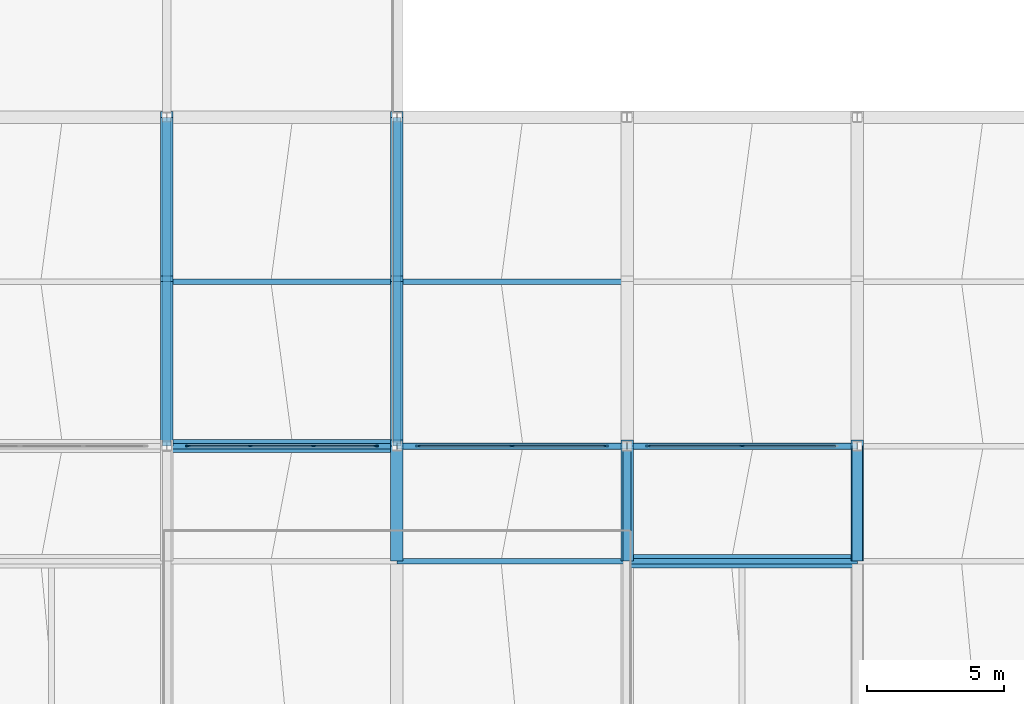
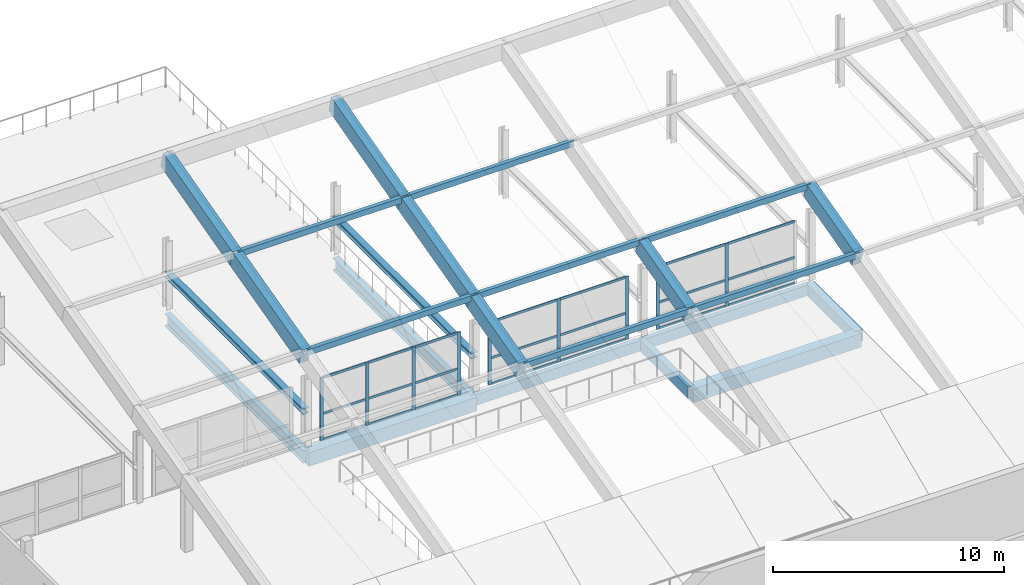
# One storey, part 26 of 51: 39 members, 15 beams, 3 elements without a shape of their own.
"""IFC4 building model written with IfcOpenShell, lengths in metres."""

from ifc_helpers import new_model, si_unit, direction, frame, origin, origin_2d, place, context, subcontext, project, spatial, rectangle, hollow_rectangle, i_section, extrude, material, material_profile, profile_set, type_object, element, aggregate, save


model = new_model("IFC4")

# Units and contexts
model_context = context("Model", 3, precision=1e-05, world=origin(), true_north=direction((0.0, 1.0)))
body_context = subcontext(model_context, "Body", "Model", "MODEL_VIEW")
ifc_project = project(units=[si_unit("LENGTHUNIT", "METRE"), si_unit("AREAUNIT", "SQUARE_METRE"), si_unit("VOLUMEUNIT", "CUBIC_METRE"), si_unit("PLANEANGLEUNIT", "RADIAN"), si_unit("MASSUNIT", "GRAM", prefix="KILO")], contexts=[model_context])

# Site, building, storey
site_placement = place(None, origin())
site = spatial("IfcSite", under=ifc_project, at=site_placement, CompositionType="ELEMENT")
building_placement = place(site_placement, origin())
building = spatial("IfcBuilding", under=site, at=building_placement, Name="Vharandega Faculty of Natural Sciences", CompositionType="ELEMENT")
storey_placement = place(building_placement, frame((0.0, 0.0, 18.0)))
storey = spatial("IfcBuildingStorey", under=building, at=storey_placement, Name="L04", CompositionType="ELEMENT", Elevation=18.0)

# Curtain wall, members
ifc_material_1 = material(Name="Aluminium and solar-control glass curtain wall", Category="aluminium")
curtain_wall_type_1 = type_object("IfcCurtainWallType", Name="Unitised Curtain Wall System CW-22", PredefinedType="NOTDEFINED", material=ifc_material_1)
curtain_wall_1_placement = place(storey_placement, origin())
curtain_wall_1 = element("IfcCurtainWall", 1, at=curtain_wall_1_placement, inside=storey, type_object=curtain_wall_type_1, Name="Curtain Wall CW-L04-105", PredefinedType="NOTDEFINED")
ifc_material_2 = material(Name="Thermally broken aluminium 6063-T6", Category="aluminium")
ifc_material_profile_1 = material_profile(ifc_material_2, rectangle(XDim=0.06005859375, YDim=0.159912109375, at=origin_2d()), Name="ALU 60x160")
ifc_profile_set_1 = profile_set([ifc_material_profile_1], Name="Thermally broken aluminium 6063-T6")
member_type_1 = type_object("IfcMemberType", Name="CW Mullion 60x160", PredefinedType="MULLION", material=ifc_profile_set_1)
member_1_placement = place(storey_placement, frame((65.169921875, 85.0, 0.0), z_axis=(0.0, 0.0, 1.0), x_axis=(0.0, 1.0, 0.0)))
member_1 = element("IfcMember", 2, at=member_1_placement, type_object=member_type_1, Name="CW-22 mullion 1", PredefinedType="MULLION", context=body_context, shape_type="SweptSolid", body=[
    extrude(rectangle(XDim=0.06005859375, YDim=0.159912109375, at=origin_2d()), origin(), (0.0, 0.0, 1.0), 3.320068359375),
])
member_2_placement = place(storey_placement, frame((67.44677734375, 85.0, 0.0), z_axis=(0.0, 0.0, 1.0), x_axis=(0.0, 1.0, 0.0)))
member_2 = element("IfcMember", 3, at=member_2_placement, type_object=member_type_1, Name="CW-22 mullion 2", PredefinedType="MULLION", context=body_context, shape_type="SweptSolid", body=[
    extrude(rectangle(XDim=0.06005859375, YDim=0.159912109375, at=origin_2d()), origin(), (0.0, 0.0, 1.0), 3.320068359375),
])
member_3_placement = place(storey_placement, frame((69.75341796875, 85.0, 0.0), z_axis=(0.0, 0.0, 1.0), x_axis=(0.0, 1.0, 0.0)))
member_3 = element("IfcMember", 4, at=member_3_placement, type_object=member_type_1, Name="CW-22 mullion 3", PredefinedType="MULLION", context=body_context, shape_type="SweptSolid", body=[
    extrude(rectangle(XDim=0.06005859375, YDim=0.159912109375, at=origin_2d()), origin(), (0.0, 0.0, 1.0), 3.320068359375),
])
member_4_placement = place(storey_placement, frame((72.030029296875, 85.0, 0.0), z_axis=(0.0, 0.0, 1.0), x_axis=(0.0, 1.0, 0.0)))
member_4 = element("IfcMember", 5, at=member_4_placement, type_object=member_type_1, Name="CW-22 mullion 4", PredefinedType="MULLION", context=body_context, shape_type="SweptSolid", body=[
    extrude(rectangle(XDim=0.06005859375, YDim=0.159912109375, at=origin_2d()), origin(), (0.0, 0.0, 1.0), 3.320068359375),
])

ifc_material_3 = material(Name="Aluminium and solar-control glass curtain wall", Category="aluminium")
curtain_wall_type_2 = type_object("IfcCurtainWallType", Name="Unitised Curtain Wall System CW-23", PredefinedType="NOTDEFINED", material=ifc_material_3)
curtain_wall_2_placement = place(storey_placement, origin())
curtain_wall_2 = element("IfcCurtainWall", 6, at=curtain_wall_2_placement, inside=storey, type_object=curtain_wall_type_2, Name="Curtain Wall CW-L04-106", PredefinedType="NOTDEFINED")
member_5_placement = place(storey_placement, frame((73.570068359375, 85.0, 0.0), z_axis=(0.0, 0.0, 1.0), x_axis=(0.0, 1.0, 0.0)))
member_5 = element("IfcMember", 7, at=member_5_placement, type_object=member_type_1, Name="CW-23 mullion 1", PredefinedType="MULLION", context=body_context, shape_type="SweptSolid", body=[
    extrude(rectangle(XDim=0.06005859375, YDim=0.159912109375, at=origin_2d()), origin(), (0.0, 0.0, 1.0), 3.320068359375),
])
member_6_placement = place(storey_placement, frame((77.0, 85.0, 0.0), z_axis=(0.0, 0.0, 1.0), x_axis=(0.0, 1.0, 0.0)))
member_6 = element("IfcMember", 8, at=member_6_placement, type_object=member_type_1, Name="CW-23 mullion 2", PredefinedType="MULLION", context=body_context, shape_type="SweptSolid", body=[
    extrude(rectangle(XDim=0.06005859375, YDim=0.159912109375, at=origin_2d()), origin(), (0.0, 0.0, 1.0), 3.320068359375),
])
member_7_placement = place(storey_placement, frame((80.429931640625, 85.0, 0.0), z_axis=(0.0, 0.0, 1.0), x_axis=(0.0, 1.0, 0.0)))
member_7 = element("IfcMember", 9, at=member_7_placement, type_object=member_type_1, Name="CW-23 mullion 3", PredefinedType="MULLION", context=body_context, shape_type="SweptSolid", body=[
    extrude(rectangle(XDim=0.06005859375, YDim=0.159912109375, at=origin_2d()), origin(), (0.0, 0.0, 1.0), 3.320068359375),
])

ifc_material_4 = material(Name="Aluminium and solar-control glass curtain wall", Category="aluminium")
curtain_wall_type_3 = type_object("IfcCurtainWallType", Name="Unitised Curtain Wall System CW-24", PredefinedType="NOTDEFINED", material=ifc_material_4)
curtain_wall_3_placement = place(storey_placement, origin())
curtain_wall_3 = element("IfcCurtainWall", 10, at=curtain_wall_3_placement, inside=storey, type_object=curtain_wall_type_3, Name="Curtain Wall CW-L04-107", PredefinedType="NOTDEFINED")
member_8_placement = place(storey_placement, frame((81.969970703125, 85.0, 0.0), z_axis=(0.0, 0.0, 1.0), x_axis=(0.0, 1.0, 0.0)))
member_8 = element("IfcMember", 11, at=member_8_placement, type_object=member_type_1, Name="CW-24 mullion 1", PredefinedType="MULLION", context=body_context, shape_type="SweptSolid", body=[
    extrude(rectangle(XDim=0.06005859375, YDim=0.159912109375, at=origin_2d()), origin(), (0.0, 0.0, 1.0), 3.320068359375),
])
member_9_placement = place(storey_placement, frame((85.39990234375, 85.0, 0.0), z_axis=(0.0, 0.0, 1.0), x_axis=(0.0, 1.0, 0.0)))
member_9 = element("IfcMember", 12, at=member_9_placement, type_object=member_type_1, Name="CW-24 mullion 2", PredefinedType="MULLION", context=body_context, shape_type="SweptSolid", body=[
    extrude(rectangle(XDim=0.06005859375, YDim=0.159912109375, at=origin_2d()), origin(), (0.0, 0.0, 1.0), 3.320068359375),
])

# Member
ifc_material_5 = material(Name="Thermally broken aluminium 6063-T6", Category="aluminium")
ifc_material_profile_2 = material_profile(ifc_material_5, rectangle(XDim=0.06005859375, YDim=0.1201171875, at=origin_2d()), Name="ALU 60x120")
ifc_profile_set_2 = profile_set([ifc_material_profile_2], Name="Thermally broken aluminium 6063-T6")
member_type_2 = type_object("IfcMemberType", Name="CW Transom 60x120", PredefinedType="USERDEFINED", material=ifc_profile_set_2)
member_10_placement = place(storey_placement, frame((65.199951171875, 85.0, 0.030029296875), z_axis=(1.0, 0.0, 0.0), x_axis=(0.0, 1.0, 0.0)))
member_10 = element("IfcMember", 13, at=member_10_placement, type_object=member_type_2, Name="CW-22 transom 1.1", ObjectType="TRANSOM", PredefinedType="USERDEFINED", context=body_context, shape_type="SweptSolid", body=[
    extrude(rectangle(XDim=0.06005859375, YDim=0.1201171875, at=origin_2d()), origin(), (0.0, 0.0, 1.0), 2.216796875),
])

member_11_placement = place(storey_placement, frame((65.199951171875, 85.0, 1.394287109375), z_axis=(1.0, 0.0, 0.0), x_axis=(0.0, 1.0, 0.0)))
member_11 = element("IfcMember", 14, at=member_11_placement, type_object=member_type_2, Name="CW-22 transom 1.2", ObjectType="TRANSOM", PredefinedType="USERDEFINED", context=body_context, shape_type="SweptSolid", body=[
    extrude(rectangle(XDim=0.06005859375, YDim=0.1201171875, at=origin_2d()), origin(), (0.0, 0.0, 1.0), 2.216796875),
])

member_12_placement = place(storey_placement, frame((65.199951171875, 85.0, 3.2900390625), z_axis=(1.0, 0.0, 0.0), x_axis=(0.0, 1.0, 0.0)))
member_12 = element("IfcMember", 15, at=member_12_placement, type_object=member_type_2, Name="CW-22 transom 1.3", ObjectType="TRANSOM", PredefinedType="USERDEFINED", context=body_context, shape_type="SweptSolid", body=[
    extrude(rectangle(XDim=0.06005859375, YDim=0.1201171875, at=origin_2d()), origin(), (0.0, 0.0, 1.0), 2.216796875),
])

member_13_placement = place(storey_placement, frame((67.4765625, 85.0, 0.030029296875), z_axis=(1.0, 0.0, 0.0), x_axis=(0.0, 1.0, 0.0)))
member_13 = element("IfcMember", 16, at=member_13_placement, type_object=member_type_2, Name="CW-22 transom 2.1", ObjectType="TRANSOM", PredefinedType="USERDEFINED", context=body_context, shape_type="SweptSolid", body=[
    extrude(rectangle(XDim=0.06005859375, YDim=0.1201171875, at=origin_2d()), origin(), (0.0, 0.0, 1.0), 2.246826171875),
])

member_14_placement = place(storey_placement, frame((67.4765625, 85.0, 1.394287109375), z_axis=(1.0, 0.0, 0.0), x_axis=(0.0, 1.0, 0.0)))
member_14 = element("IfcMember", 17, at=member_14_placement, type_object=member_type_2, Name="CW-22 transom 2.2", ObjectType="TRANSOM", PredefinedType="USERDEFINED", context=body_context, shape_type="SweptSolid", body=[
    extrude(rectangle(XDim=0.06005859375, YDim=0.1201171875, at=origin_2d()), origin(), (0.0, 0.0, 1.0), 2.246826171875),
])

member_15_placement = place(storey_placement, frame((67.4765625, 85.0, 3.2900390625), z_axis=(1.0, 0.0, 0.0), x_axis=(0.0, 1.0, 0.0)))
member_15 = element("IfcMember", 18, at=member_15_placement, type_object=member_type_2, Name="CW-22 transom 2.3", ObjectType="TRANSOM", PredefinedType="USERDEFINED", context=body_context, shape_type="SweptSolid", body=[
    extrude(rectangle(XDim=0.06005859375, YDim=0.1201171875, at=origin_2d()), origin(), (0.0, 0.0, 1.0), 2.246826171875),
])

member_16_placement = place(storey_placement, frame((69.783447265625, 85.0, 0.030029296875), z_axis=(1.0, 0.0, 0.0), x_axis=(0.0, 1.0, 0.0)))
member_16 = element("IfcMember", 19, at=member_16_placement, type_object=member_type_2, Name="CW-22 transom 3.1", ObjectType="TRANSOM", PredefinedType="USERDEFINED", context=body_context, shape_type="SweptSolid", body=[
    extrude(rectangle(XDim=0.06005859375, YDim=0.1201171875, at=origin_2d()), origin(), (0.0, 0.0, 1.0), 2.216552734375),
])

member_17_placement = place(storey_placement, frame((69.783447265625, 85.0, 1.394287109375), z_axis=(1.0, 0.0, 0.0), x_axis=(0.0, 1.0, 0.0)))
member_17 = element("IfcMember", 20, at=member_17_placement, type_object=member_type_2, Name="CW-22 transom 3.2", ObjectType="TRANSOM", PredefinedType="USERDEFINED", context=body_context, shape_type="SweptSolid", body=[
    extrude(rectangle(XDim=0.06005859375, YDim=0.1201171875, at=origin_2d()), origin(), (0.0, 0.0, 1.0), 2.216552734375),
])

member_18_placement = place(storey_placement, frame((69.783447265625, 85.0, 3.2900390625), z_axis=(1.0, 0.0, 0.0), x_axis=(0.0, 1.0, 0.0)))
member_18 = element("IfcMember", 21, at=member_18_placement, type_object=member_type_2, Name="CW-22 transom 3.3", ObjectType="TRANSOM", PredefinedType="USERDEFINED", context=body_context, shape_type="SweptSolid", body=[
    extrude(rectangle(XDim=0.06005859375, YDim=0.1201171875, at=origin_2d()), origin(), (0.0, 0.0, 1.0), 2.216552734375),
])

aggregate(curtain_wall_1, [member_1, member_2, member_3, member_4, member_10, member_11, member_12, member_13, member_14, member_15, member_16, member_17, member_18])

member_19_placement = place(storey_placement, frame((73.60009765625, 85.0, 0.030029296875), z_axis=(1.0, 0.0, 0.0), x_axis=(0.0, 1.0, 0.0)))
member_19 = element("IfcMember", 22, at=member_19_placement, type_object=member_type_2, Name="CW-23 transom 1.1", ObjectType="TRANSOM", PredefinedType="USERDEFINED", context=body_context, shape_type="SweptSolid", body=[
    extrude(rectangle(XDim=0.06005859375, YDim=0.1201171875, at=origin_2d()), origin(), (0.0, 0.0, 1.0), 3.369873046875),
])

member_20_placement = place(storey_placement, frame((73.60009765625, 85.0, 1.394287109375), z_axis=(1.0, 0.0, 0.0), x_axis=(0.0, 1.0, 0.0)))
member_20 = element("IfcMember", 23, at=member_20_placement, type_object=member_type_2, Name="CW-23 transom 1.2", ObjectType="TRANSOM", PredefinedType="USERDEFINED", context=body_context, shape_type="SweptSolid", body=[
    extrude(rectangle(XDim=0.06005859375, YDim=0.1201171875, at=origin_2d()), origin(), (0.0, 0.0, 1.0), 3.369873046875),
])

member_21_placement = place(storey_placement, frame((73.60009765625, 85.0, 3.2900390625), z_axis=(1.0, 0.0, 0.0), x_axis=(0.0, 1.0, 0.0)))
member_21 = element("IfcMember", 24, at=member_21_placement, type_object=member_type_2, Name="CW-23 transom 1.3", ObjectType="TRANSOM", PredefinedType="USERDEFINED", context=body_context, shape_type="SweptSolid", body=[
    extrude(rectangle(XDim=0.06005859375, YDim=0.1201171875, at=origin_2d()), origin(), (0.0, 0.0, 1.0), 3.369873046875),
])

member_22_placement = place(storey_placement, frame((77.030029296875, 85.0, 0.030029296875), z_axis=(1.0, 0.0, 0.0), x_axis=(0.0, 1.0, 0.0)))
member_22 = element("IfcMember", 25, at=member_22_placement, type_object=member_type_2, Name="CW-23 transom 2.1", ObjectType="TRANSOM", PredefinedType="USERDEFINED", context=body_context, shape_type="SweptSolid", body=[
    extrude(rectangle(XDim=0.06005859375, YDim=0.1201171875, at=origin_2d()), origin(), (0.0, 0.0, 1.0), 3.369873046875),
])

member_23_placement = place(storey_placement, frame((77.030029296875, 85.0, 1.394287109375), z_axis=(1.0, 0.0, 0.0), x_axis=(0.0, 1.0, 0.0)))
member_23 = element("IfcMember", 26, at=member_23_placement, type_object=member_type_2, Name="CW-23 transom 2.2", ObjectType="TRANSOM", PredefinedType="USERDEFINED", context=body_context, shape_type="SweptSolid", body=[
    extrude(rectangle(XDim=0.06005859375, YDim=0.1201171875, at=origin_2d()), origin(), (0.0, 0.0, 1.0), 3.369873046875),
])

member_24_placement = place(storey_placement, frame((77.030029296875, 85.0, 3.2900390625), z_axis=(1.0, 0.0, 0.0), x_axis=(0.0, 1.0, 0.0)))
member_24 = element("IfcMember", 27, at=member_24_placement, type_object=member_type_2, Name="CW-23 transom 2.3", ObjectType="TRANSOM", PredefinedType="USERDEFINED", context=body_context, shape_type="SweptSolid", body=[
    extrude(rectangle(XDim=0.06005859375, YDim=0.1201171875, at=origin_2d()), origin(), (0.0, 0.0, 1.0), 3.369873046875),
])

aggregate(curtain_wall_2, [member_5, member_6, member_7, member_19, member_20, member_21, member_22, member_23, member_24])

member_25_placement = place(storey_placement, frame((82.0, 85.0, 0.030029296875), z_axis=(1.0, 0.0, 0.0), x_axis=(0.0, 1.0, 0.0)))
member_25 = element("IfcMember", 28, at=member_25_placement, type_object=member_type_2, Name="CW-24 transom 1.1", ObjectType="TRANSOM", PredefinedType="USERDEFINED", context=body_context, shape_type="SweptSolid", body=[
    extrude(rectangle(XDim=0.06005859375, YDim=0.1201171875, at=origin_2d()), origin(), (0.0, 0.0, 1.0), 3.3701171875),
])

member_26_placement = place(storey_placement, frame((82.0, 85.0, 1.394287109375), z_axis=(1.0, 0.0, 0.0), x_axis=(0.0, 1.0, 0.0)))
member_26 = element("IfcMember", 29, at=member_26_placement, type_object=member_type_2, Name="CW-24 transom 1.2", ObjectType="TRANSOM", PredefinedType="USERDEFINED", context=body_context, shape_type="SweptSolid", body=[
    extrude(rectangle(XDim=0.06005859375, YDim=0.1201171875, at=origin_2d()), origin(), (0.0, 0.0, 1.0), 3.3701171875),
])

member_27_placement = place(storey_placement, frame((82.0, 85.0, 3.2900390625), z_axis=(1.0, 0.0, 0.0), x_axis=(0.0, 1.0, 0.0)))
member_27 = element("IfcMember", 30, at=member_27_placement, type_object=member_type_2, Name="CW-24 transom 1.3", ObjectType="TRANSOM", PredefinedType="USERDEFINED", context=body_context, shape_type="SweptSolid", body=[
    extrude(rectangle(XDim=0.06005859375, YDim=0.1201171875, at=origin_2d()), origin(), (0.0, 0.0, 1.0), 3.3701171875),
])

member_28_placement = place(storey_placement, frame((85.429931640625, 85.0, 0.030029296875), z_axis=(1.0, 0.0, 0.0), x_axis=(0.0, 1.0, 0.0)))
member_28 = element("IfcMember", 31, at=member_28_placement, type_object=member_type_2, Name="CW-24 transom 2.1", ObjectType="TRANSOM", PredefinedType="USERDEFINED", context=body_context, shape_type="SweptSolid", body=[
    extrude(rectangle(XDim=0.06005859375, YDim=0.1201171875, at=origin_2d()), origin(), (0.0, 0.0, 1.0), 3.3701171875),
])

member_29_placement = place(storey_placement, frame((85.429931640625, 85.0, 1.394287109375), z_axis=(1.0, 0.0, 0.0), x_axis=(0.0, 1.0, 0.0)))
member_29 = element("IfcMember", 32, at=member_29_placement, type_object=member_type_2, Name="CW-24 transom 2.2", ObjectType="TRANSOM", PredefinedType="USERDEFINED", context=body_context, shape_type="SweptSolid", body=[
    extrude(rectangle(XDim=0.06005859375, YDim=0.1201171875, at=origin_2d()), origin(), (0.0, 0.0, 1.0), 3.3701171875),
])

member_30_placement = place(storey_placement, frame((85.429931640625, 85.0, 3.2900390625), z_axis=(1.0, 0.0, 0.0), x_axis=(0.0, 1.0, 0.0)))
member_30 = element("IfcMember", 33, at=member_30_placement, type_object=member_type_2, Name="CW-24 transom 2.3", ObjectType="TRANSOM", PredefinedType="USERDEFINED", context=body_context, shape_type="SweptSolid", body=[
    extrude(rectangle(XDim=0.06005859375, YDim=0.1201171875, at=origin_2d()), origin(), (0.0, 0.0, 1.0), 3.3701171875),
])

aggregate(curtain_wall_3, [member_8, member_9, member_25, member_26, member_27, member_28, member_29, member_30])

# Beams
ifc_material_6 = material(Name="Glulam GL28h", Category="wood")
ifc_material_profile_3 = material_profile(ifc_material_6, rectangle(XDim=0.300048828125, YDim=0.60009765625, at=origin_2d()), Name="GL28h 300x600")
ifc_profile_set_3 = profile_set([ifc_material_profile_3], Name="Glulam GL28h")
beam_type_1 = type_object("IfcBeamType", Name="Glulam Floor Beam 300x600", PredefinedType="BEAM", material=ifc_profile_set_3)
beam_1_placement = place(storey_placement, frame((81.199951171875, 80.800048828125, -0.52001953125), z_axis=(0.0, 1.0, 0.0), x_axis=(-1.0, 0.0, 0.0)))
element("IfcBeam", 34, at=beam_1_placement, inside=storey, type_object=beam_type_1, Name="Beam L04 11/L-M", PredefinedType="BEAM", context=body_context, shape_type="SweptSolid", body=[
    extrude(rectangle(XDim=0.300048828125, YDim=0.60009765625, at=origin_2d()), origin(), (0.0, 0.0, 1.0), 4.199951171875),
])
ifc_material_7 = material(Name="Glulam GL32h", Category="wood")
ifc_material_profile_4 = material_profile(ifc_material_7, rectangle(XDim=0.47998046875, YDim=0.719970703125, at=origin_2d()), Name="GL32h 480x720")
ifc_profile_set_4 = profile_set([ifc_material_profile_4], Name="Glulam GL32h")
beam_type_2 = type_object("IfcBeamType", Name="Glulam Primary Girder 480x720", PredefinedType="BEAM", material=ifc_profile_set_4)
for number, where, z_axis, x_axis, name in (
    (35, (81.199951171875, 80.800048828125, -0.580078125), (1.0, 0.0, 0.0), (0.0, 1.0, 0.0), "Beam L04 L/11-12"),
    (36, (64.39990234375, 85.0, -0.6201171875), (1.0, 0.0, 0.0), (0.0, 1.0, 0.0), "Beam L04 M/9-10"),
):
    element("IfcBeam", number, at=place(storey_placement, frame(where, z_axis=z_axis, x_axis=x_axis)), inside=storey, type_object=beam_type_2, Name=name, PredefinedType="BEAM", context=body_context, shape_type="SweptSolid", body=[
        extrude(rectangle(XDim=0.47998046875, YDim=0.719970703125, at=origin_2d()), origin(), (0.0, 0.0, 1.0), 8.400146484375),
    ])
ifc_material_8 = material(Name="Glulam GL28h", Category="wood")
ifc_material_profile_5 = material_profile(ifc_material_8, rectangle(XDim=0.239990234375, YDim=0.56005859375, at=origin_2d()), Name="GL28h 240x560")
ifc_profile_set_5 = profile_set([ifc_material_profile_5], Name="Glulam GL28h")
beam_type_3 = type_object("IfcBeamType", Name="Glulam Spandrel Edge Beam 240x560", PredefinedType="SPANDREL", material=ifc_profile_set_5)
beam_2_placement = place(storey_placement, frame((72.800048828125, 85.0, -0.5), z_axis=(1.0, 0.0, 0.0), x_axis=(0.0, 1.0, 0.0)))
element("IfcBeam", 37, at=beam_2_placement, inside=storey, type_object=beam_type_3, Name="Beam L04 M/10-11", PredefinedType="SPANDREL", context=body_context, shape_type="SweptSolid", body=[
    extrude(rectangle(XDim=0.239990234375, YDim=0.56005859375, at=origin_2d()), origin(), (0.0, 0.0, 1.0), 8.39990234375),
])
beam_3_placement = place(storey_placement, frame((81.199951171875, 85.0, -0.5), z_axis=(1.0, 0.0, 0.0), x_axis=(0.0, 1.0, 0.0)))
element("IfcBeam", 38, at=beam_3_placement, inside=storey, type_object=beam_type_3, Name="Beam L04 M/11-12", PredefinedType="SPANDREL", context=body_context, shape_type="SweptSolid", body=[
    extrude(rectangle(XDim=0.239990234375, YDim=0.56005859375, at=origin_2d()), origin(), (0.0, 0.0, 1.0), 8.400146484375),
])
ifc_material_9 = material(Name="Glulam GL32h", Category="wood")
ifc_material_profile_6 = material_profile(ifc_material_9, rectangle(XDim=0.39990234375, YDim=0.60009765625, at=origin_2d()), Name="GL32h 400x600")
ifc_profile_set_6 = profile_set([ifc_material_profile_6], Name="Glulam GL32h")
beam_type_4 = type_object("IfcBeamType", Name="Glulam Spine Girder 400x600", PredefinedType="BEAM", material=ifc_profile_set_6)
beam_4_placement = place(storey_placement, frame((89.60009765625, 80.800048828125, -0.52001953125), z_axis=(0.0, 1.0, 0.0), x_axis=(-1.0, 0.0, 0.0)))
element("IfcBeam", 39, at=beam_4_placement, inside=storey, type_object=beam_type_4, Name="Beam L04 12/L-M", PredefinedType="BEAM", context=body_context, shape_type="SweptSolid", body=[
    extrude(rectangle(XDim=0.39990234375, YDim=0.60009765625, at=origin_2d()), origin(), (0.0, 0.0, 1.0), 4.199951171875),
])
ifc_material_10 = material(Name="Concrete C40/50", Category="concrete")
ifc_material_profile_7 = material_profile(ifc_material_10, rectangle(XDim=0.449951171875, YDim=0.85009765625, at=origin_2d()), Name="RC 450x850")
ifc_profile_set_7 = profile_set([ifc_material_profile_7], Name="Concrete C40/50")
beam_type_5 = type_object("IfcBeamType", Name="Shell Arch Rib Beam 450x850", PredefinedType="BEAM", material=ifc_profile_set_7)
beam_5_placement = place(storey_placement, frame((64.39990234375, 85.106201171875, 4.678466796875), z_axis=(0.0, 0.968212411492, 0.250129418968), x_axis=(-1.0, 0.0, 0.0)))
element("IfcBeam", 40, at=beam_5_placement, inside=storey, type_object=beam_type_5, Name="Conoidal Shell Arch Rib 9-4", PredefinedType="BEAM", context=body_context, shape_type="SweptSolid", body=[
    extrude(rectangle(XDim=0.449951171875, YDim=0.85009765625, at=origin_2d()), origin(), (0.0, 0.0, 1.0), 6.197021484375),
])
beam_6_placement = place(storey_placement, frame((64.39990234375, 91.109619140625, 6.229248046875), z_axis=(0.0, 0.966231024199, 0.25767733287), x_axis=(-1.0, 0.0, 0.0)))
element("IfcBeam", 41, at=beam_6_placement, inside=storey, type_object=beam_type_5, Name="Conoidal Shell Arch Rib 9-5", PredefinedType="BEAM", context=body_context, shape_type="SweptSolid", body=[
    extrude(rectangle(XDim=0.449951171875, YDim=0.85009765625, at=origin_2d()), origin(), (0.0, 0.0, 1.0), 6.209716796875),
])
beam_7_placement = place(storey_placement, frame((72.800048828125, 80.90771484375, 3.578857421875), z_axis=(0.0, 0.967365988301, 0.253383197308), x_axis=(-1.0, 0.0, 0.0)))
element("IfcBeam", 42, at=beam_7_placement, inside=storey, type_object=beam_type_5, Name="Conoidal Shell Arch Rib 10-3", PredefinedType="BEAM", context=body_context, shape_type="SweptSolid", body=[
    extrude(rectangle(XDim=0.449951171875, YDim=0.85009765625, at=origin_2d()), origin(), (0.0, 0.0, 1.0), 4.341552734375),
])
beam_8_placement = place(storey_placement, frame((72.800048828125, 85.106201171875, 4.678466796875), z_axis=(0.0, 0.968212411492, 0.250129418968), x_axis=(-1.0, 0.0, 0.0)))
element("IfcBeam", 43, at=beam_8_placement, inside=storey, type_object=beam_type_5, Name="Conoidal Shell Arch Rib 10-4", PredefinedType="BEAM", context=body_context, shape_type="SweptSolid", body=[
    extrude(rectangle(XDim=0.449951171875, YDim=0.85009765625, at=origin_2d()), origin(), (0.0, 0.0, 1.0), 6.197021484375),
])
beam_9_placement = place(storey_placement, frame((72.800048828125, 91.109619140625, 6.229248046875), z_axis=(0.0, 0.966231024199, 0.25767733287), x_axis=(-1.0, 0.0, 0.0)))
element("IfcBeam", 44, at=beam_9_placement, inside=storey, type_object=beam_type_5, Name="Conoidal Shell Arch Rib 10-5", PredefinedType="BEAM", context=body_context, shape_type="SweptSolid", body=[
    extrude(rectangle(XDim=0.449951171875, YDim=0.85009765625, at=origin_2d()), origin(), (0.0, 0.0, 1.0), 6.209716796875),
])
for number, where, z_axis, x_axis, name in (
    (45, (81.199951171875, 80.90771484375, 3.578857421875), (0.0, 0.967365988301, 0.253383197308), (-1.0, 0.0, 0.0), "Conoidal Shell Arch Rib 11-3"),
    (46, (89.60009765625, 80.90771484375, 3.578857421875), (0.0, 0.967365988301, 0.253383197308), (-1.0, 0.0, 0.0), "Conoidal Shell Arch Rib 12-3"),
):
    element("IfcBeam", number, at=place(storey_placement, frame(where, z_axis=z_axis, x_axis=x_axis)), inside=storey, type_object=beam_type_5, Name=name, PredefinedType="BEAM", context=body_context, shape_type="SweptSolid", body=[
        extrude(rectangle(XDim=0.449951171875, YDim=0.85009765625, at=origin_2d()), origin(), (0.0, 0.0, 1.0), 4.341552734375),
    ])

# Members
ifc_material_11 = material(Name="Steel S355", Category="steel")
ifc_material_profile_8 = material_profile(ifc_material_11, i_section(OverallWidth=0.300048828125, OverallDepth=0.2900390625, WebThickness=0.008544921875, FlangeThickness=0.013916015625, FilletRadius=0.027099609375, at=origin_2d()), Name="HEA 300")
ifc_profile_set_8 = profile_set([ifc_material_profile_8], Name="Steel S355")
member_type_3 = type_object("IfcMemberType", Name="Shell Arch Tie HEA 300", PredefinedType="CHORD", material=ifc_profile_set_8)
for number, where, z_axis, x_axis, name in (
    (47, (64.39990234375, 85.0, 1.800048828125), (0.0, 1.0, 0.0), (-1.0, 0.0, 0.0), "Conoidal Shell Tie 9"),
    (48, (72.800048828125, 85.0, 1.800048828125), (0.0, 1.0, 0.0), (-1.0, 0.0, 0.0), "Conoidal Shell Tie 10"),
):
    element("IfcMember", number, at=place(storey_placement, frame(where, z_axis=z_axis, x_axis=x_axis)), inside=storey, type_object=member_type_3, Name=name, PredefinedType="CHORD", context=body_context, shape_type="SweptSolid", body=[
        extrude(i_section(OverallWidth=0.300048828125, OverallDepth=0.2900390625, WebThickness=0.008544921875, FlangeThickness=0.013916015625, FilletRadius=0.027099609375, at=origin_2d()), origin(), (0.0, 0.0, 1.0), 12.0),
    ])
ifc_material_12 = material(Name="Steel S355", Category="steel")
ifc_material_profile_9 = material_profile(ifc_material_12, hollow_rectangle(XDim=0.199951171875, YDim=0.300048828125, WallThickness=0.012451171875, at=origin_2d()), Name="RHS 300x200x12.5")
ifc_profile_set_9 = profile_set([ifc_material_profile_9], Name="Steel S355")
member_type_4 = type_object("IfcMemberType", Name="Shell Roof Purlin RHS 300x200", PredefinedType="PURLIN", material=ifc_profile_set_9)
for number, where, z_axis, x_axis, name in (
    (49, (64.39990234375, 85.0, 4.93994140625), (1.0, 0.0, 0.0), (0.0, 1.0, 0.0), "Shell Roof Purlin B2-3"),
    (50, (64.39990234375, 91.0, 6.489990234375), (1.0, 0.0, 0.0), (0.0, 1.0, 0.0), "Shell Roof Purlin B2-4"),
):
    element("IfcMember", number, at=place(storey_placement, frame(where, z_axis=z_axis, x_axis=x_axis)), inside=storey, type_object=member_type_4, Name=name, PredefinedType="PURLIN", context=body_context, shape_type="SweptSolid", body=[
        extrude(hollow_rectangle(XDim=0.199951171875, YDim=0.300048828125, WallThickness=0.012451171875, at=origin_2d()), origin(), (0.0, 0.0, 1.0), 8.400146484375),
    ])
for number, where, z_axis, x_axis, name in (
    (51, (72.800048828125, 80.800048828125, 3.840087890625), (1.0, 0.0, 0.0), (0.0, 1.0, 0.0), "Shell Roof Purlin B3-2"),
    (52, (72.800048828125, 85.0, 4.93994140625), (1.0, 0.0, 0.0), (0.0, 1.0, 0.0), "Shell Roof Purlin B3-3"),
    (53, (72.800048828125, 91.0, 6.489990234375), (1.0, 0.0, 0.0), (0.0, 1.0, 0.0), "Shell Roof Purlin B3-4"),
):
    element("IfcMember", number, at=place(storey_placement, frame(where, z_axis=z_axis, x_axis=x_axis)), inside=storey, type_object=member_type_4, Name=name, PredefinedType="PURLIN", context=body_context, shape_type="SweptSolid", body=[
        extrude(hollow_rectangle(XDim=0.199951171875, YDim=0.300048828125, WallThickness=0.012451171875, at=origin_2d()), origin(), (0.0, 0.0, 1.0), 8.39990234375),
    ])
for number, where, z_axis, x_axis, name in (
    (54, (81.199951171875, 80.800048828125, 3.840087890625), (1.0, 0.0, 0.0), (0.0, 1.0, 0.0), "Shell Roof Purlin B4-2"),
    (55, (81.199951171875, 85.0, 4.93994140625), (1.0, 0.0, 0.0), (0.0, 1.0, 0.0), "Shell Roof Purlin B4-3"),
):
    element("IfcMember", number, at=place(storey_placement, frame(where, z_axis=z_axis, x_axis=x_axis)), inside=storey, type_object=member_type_4, Name=name, PredefinedType="PURLIN", context=body_context, shape_type="SweptSolid", body=[
        extrude(hollow_rectangle(XDim=0.199951171875, YDim=0.300048828125, WallThickness=0.012451171875, at=origin_2d()), origin(), (0.0, 0.0, 1.0), 8.400146484375),
    ])

# Beams
ifc_material_13 = material(Name="Steel S355", Category="steel")
ifc_material_profile_10 = material_profile(ifc_material_13, i_section(OverallWidth=0.300048828125, OverallDepth=0.64990234375, WebThickness=0.01611328125, FlangeThickness=0.031005859375, FilletRadius=0.027099609375, at=origin_2d()), Name="HEB 650")
ifc_profile_set_10 = profile_set([ifc_material_profile_10], Name="Steel S355")
beam_type_6 = type_object("IfcBeamType", Name="Steel Collector Beam HEB 650", PredefinedType="BEAM", material=ifc_profile_set_10)
for number, where, z_axis, x_axis, name in (
    (56, (64.39990234375, 85.0, -0.5849609375), (0.0, 1.0, 0.0), (-1.0, 0.0, 0.0), "Beam L04 9/M-N"),
    (57, (72.800048828125, 85.0, -0.5849609375), (0.0, 1.0, 0.0), (-1.0, 0.0, 0.0), "Beam L04 10/M-N"),
):
    element("IfcBeam", number, at=place(storey_placement, frame(where, z_axis=z_axis, x_axis=x_axis)), inside=storey, type_object=beam_type_6, Name=name, PredefinedType="BEAM", context=body_context, shape_type="SweptSolid", body=[
        extrude(i_section(OverallWidth=0.300048828125, OverallDepth=0.64990234375, WebThickness=0.01611328125, FlangeThickness=0.031005859375, FilletRadius=0.027099609375, at=origin_2d()), origin(), (0.0, 0.0, 1.0), 12.0),
    ])

save(model, "model.ifc")
